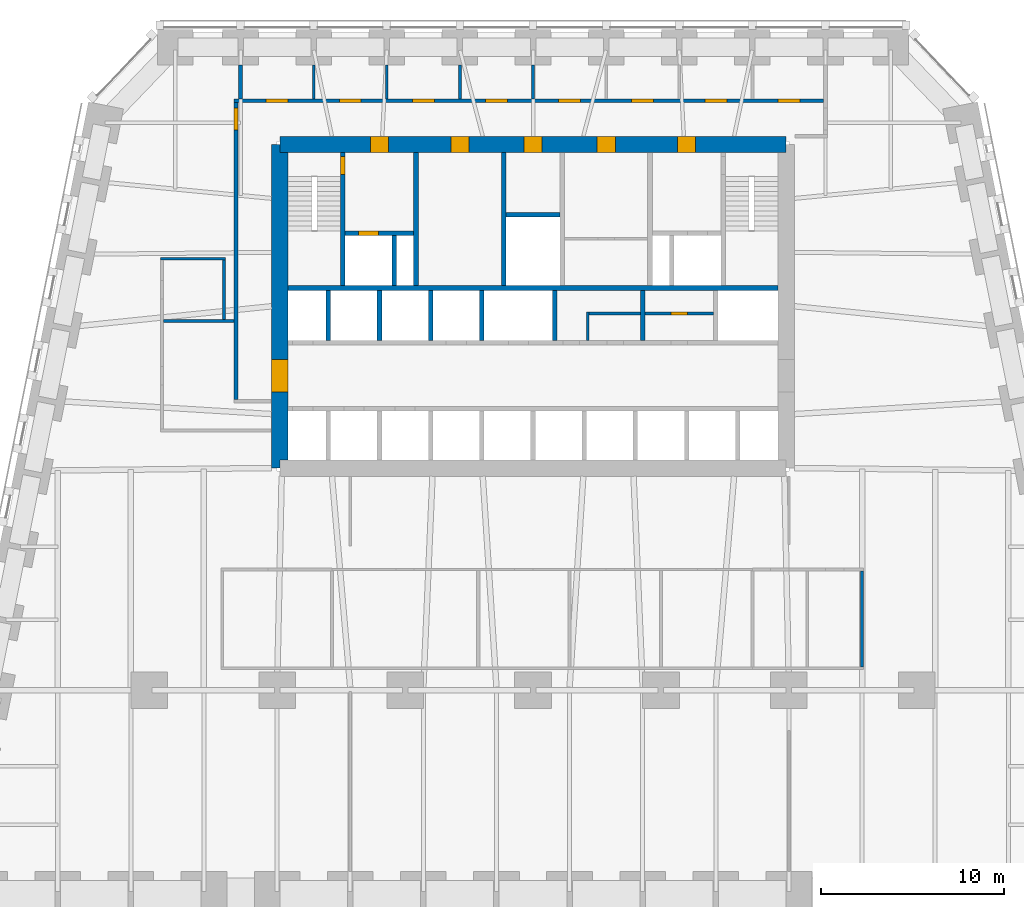
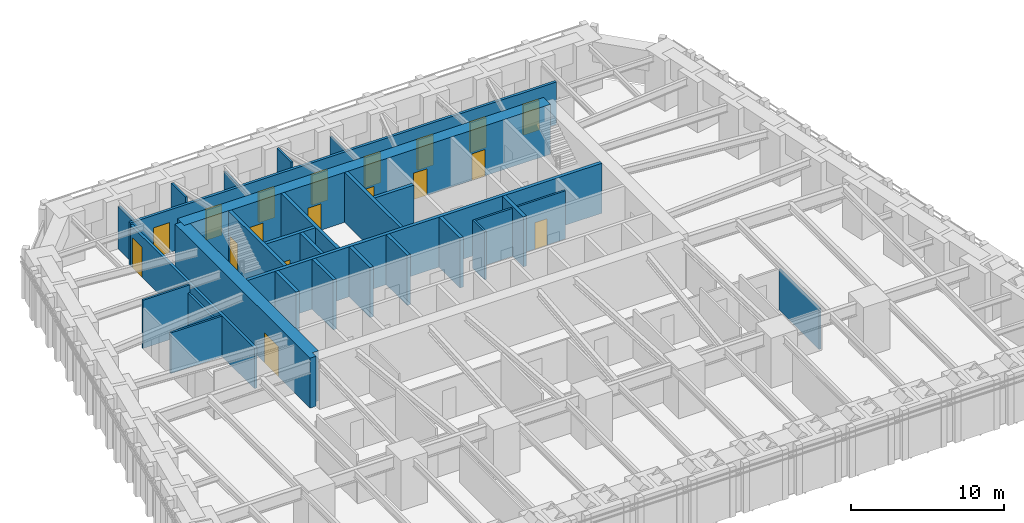
# One storey, part 13 of 16: 29 walls, 18 doors, 18 openings.
"""IFC4 building model written with IfcOpenShell, lengths in metres."""

from ifc_helpers import new_model, si_unit, direction, frame, frame_2d, origin, place, context, subcontext, project, spatial, polyline, rectangle, outline, extrude, material, layer, layer_set, type_object, element, fill, save


model = new_model("IFC4")

# Units and contexts
model_context = context("Model", 3, precision=1e-05, world=origin(), true_north=direction((0.0, 1.0)))
body_context = subcontext(model_context, "Body", "Model", "MODEL_VIEW")
ifc_project = project(units=[si_unit("LENGTHUNIT", "METRE"), si_unit("AREAUNIT", "SQUARE_METRE"), si_unit("VOLUMEUNIT", "CUBIC_METRE"), si_unit("PLANEANGLEUNIT", "RADIAN"), si_unit("MASSUNIT", "GRAM", prefix="KILO")], contexts=[model_context])

# Site, building, storey
site_placement = place(None, origin())
site = spatial("IfcSite", under=ifc_project, at=site_placement, CompositionType="ELEMENT")
building_placement = place(site_placement, origin())
building = spatial("IfcBuilding", under=site, at=building_placement, Name="Isbrekke Arena Tower", CompositionType="ELEMENT")
storey_placement = place(building_placement, frame((0.0, 0.0, 32.0)))
storey = spatial("IfcBuildingStorey", under=building, at=storey_placement, Name="L05", CompositionType="ELEMENT", Elevation=32.0)

# Wall, openings, doors
ifc_material_1 = material(Name="Concrete B65 (C65/80)", Category="concrete")
ifc_layer_1 = layer(ifc_material_1, 0.89990234375)
ifc_layer_set_1 = layer_set([ifc_layer_1], Name="CW2 CORE WALL 900")
wall_type_1 = type_object("IfcWallType", Name="CW2 CORE WALL 900", PredefinedType="SHEAR", material=ifc_layer_set_1)
wall_1_placement = place(storey_placement, frame((13.85009765625, 23.85009765625, 0.0), z_axis=(0.0, 0.0, 1.0), x_axis=(-1.0, 0.0, 0.0)))
wall_1 = element("IfcWall", 1, at=wall_1_placement, inside=storey, type_object=wall_type_1, Name="Core wall N L05", PredefinedType="SHEAR", context=body_context, shape_type="SweptSolid", body=[
    extrude(rectangle(XDim=27.7001953125, YDim=0.89990234375, at=frame_2d((13.85009765625, 0.0))), origin(), (0.0, 0.0, 1.0), 4.0),
])
opening_1_placement = place(wall_1_placement, frame((21.75, 0.0, 0.0)))
opening_1 = element("IfcOpeningElement", 2, at=opening_1_placement, cuts=wall_1, Name="Opening D3", PredefinedType="OPENING", context=body_context, shape_type="SweptSolid", body=[
    extrude(rectangle(XDim=1.0, YDim=2.10009765625, at=frame_2d((0.5, 1.050048828125))), frame((0.0, 0.46484375, 0.0), z_axis=(0.0, -1.0, 0.0), x_axis=(1.0, 0.0, 0.0)), (0.0, 0.0, 1.0), 0.9296875),
])
opening_2_placement = place(wall_1_placement, frame((4.949951171875, 0.0, 0.0)))
opening_2 = element("IfcOpeningElement", 3, at=opening_2_placement, cuts=wall_1, Name="Opening D3", PredefinedType="OPENING", context=body_context, shape_type="SweptSolid", body=[
    extrude(rectangle(XDim=1.0, YDim=2.10009765625, at=frame_2d((0.5, 1.050048828125))), frame((0.0, 0.46484375, 0.0), z_axis=(0.0, -1.0, 0.0), x_axis=(1.0, 0.0, 0.0)), (0.0, 0.0, 1.0), 0.9296875),
])
opening_3_placement = place(wall_1_placement, frame((17.35009765625, 0.0, 0.0)))
opening_3 = element("IfcOpeningElement", 4, at=opening_3_placement, cuts=wall_1, Name="Opening D4", PredefinedType="OPENING", context=body_context, shape_type="SweptSolid", body=[
    extrude(rectangle(XDim=1.0, YDim=2.10009765625, at=frame_2d((0.5, 1.050048828125))), frame((0.0, 0.46484375, 0.0), z_axis=(0.0, -1.0, 0.0), x_axis=(1.0, 0.0, 0.0)), (0.0, 0.0, 1.0), 0.9296875),
])
opening_4_placement = place(wall_1_placement, frame((13.35009765625, 0.0, 0.0)))
opening_4 = element("IfcOpeningElement", 5, at=opening_4_placement, cuts=wall_1, Name="Opening D4", PredefinedType="OPENING", context=body_context, shape_type="SweptSolid", body=[
    extrude(rectangle(XDim=1.0, YDim=2.10009765625, at=frame_2d((0.5, 1.050048828125))), frame((0.0, 0.46484375, 0.0), z_axis=(0.0, -1.0, 0.0), x_axis=(1.0, 0.0, 0.0)), (0.0, 0.0, 1.0), 0.9296875),
])
opening_5_placement = place(wall_1_placement, frame((9.35009765625, 0.0, 0.0)))
opening_5 = element("IfcOpeningElement", 6, at=opening_5_placement, cuts=wall_1, Name="Opening D4", PredefinedType="OPENING", context=body_context, shape_type="SweptSolid", body=[
    extrude(rectangle(XDim=1.0, YDim=2.10009765625, at=frame_2d((0.5, 1.050048828125))), frame((0.0, 0.46484375, 0.0), z_axis=(0.0, -1.0, 0.0), x_axis=(1.0, 0.0, 0.0)), (0.0, 0.0, 1.0), 0.9296875),
])
ifc_material_2 = material(Name="Steel fire door", Category="steel")
door_type_1 = type_object("IfcDoorType", Name="D3 FIRE LOBBY DOOR 1000 x 2100", OperationType="SINGLE_SWING_RIGHT", PredefinedType="DOOR", material=ifc_material_2)
door_1_placement = place(opening_1_placement, origin())
door_1 = element("IfcDoor", 7, at=door_1_placement, inside=storey, type_object=door_type_1, Name="D3 fire-fighting lobby door L05", OperationType="SINGLE_SWING_RIGHT", OverallHeight=2.10009765625, OverallWidth=1.0, PredefinedType="DOOR", context=body_context, shape_type="SweptSolid", body=[
    extrude(rectangle(XDim=1.0, YDim=2.10009765625, at=frame_2d((0.5, 1.050048828125))), frame((0.0, 0.44970703125, 0.0), z_axis=(0.0, -1.0, 0.0), x_axis=(1.0, 0.0, 0.0)), (0.0, 0.0, 1.0), 0.8994140625),
])
fill(opening_1, door_1)
door_2_placement = place(opening_2_placement, origin())
door_2 = element("IfcDoor", 8, at=door_2_placement, inside=storey, type_object=door_type_1, Name="D3 fire-fighting lobby door L05", OperationType="SINGLE_SWING_RIGHT", OverallHeight=2.10009765625, OverallWidth=1.0, PredefinedType="DOOR", context=body_context, shape_type="SweptSolid", body=[
    extrude(rectangle(XDim=1.0, YDim=2.10009765625, at=frame_2d((0.5, 1.050048828125))), frame((0.0, 0.44970703125, 0.0), z_axis=(0.0, -1.0, 0.0), x_axis=(1.0, 0.0, 0.0)), (0.0, 0.0, 1.0), 0.8994140625),
])
fill(opening_2, door_2)
ifc_material_3 = material(Name="Timber door", Category="wood")
door_type_2 = type_object("IfcDoorType", Name="D4 WC DOOR 1000 x 2100", OperationType="SINGLE_SWING_LEFT", PredefinedType="DOOR", material=ifc_material_3)
door_3_placement = place(opening_3_placement, origin())
door_3 = element("IfcDoor", 9, at=door_3_placement, inside=storey, type_object=door_type_2, Name="D4 wc female door L05", OperationType="SINGLE_SWING_LEFT", OverallHeight=2.10009765625, OverallWidth=1.0, PredefinedType="DOOR", context=body_context, shape_type="SweptSolid", body=[
    extrude(rectangle(XDim=1.0, YDim=2.10009765625, at=frame_2d((0.5, 1.050048828125))), frame((0.0, 0.44970703125, 0.0), z_axis=(0.0, -1.0, 0.0), x_axis=(1.0, 0.0, 0.0)), (0.0, 0.0, 1.0), 0.8994140625),
])
fill(opening_3, door_3)
door_4_placement = place(opening_4_placement, origin())
door_4 = element("IfcDoor", 10, at=door_4_placement, inside=storey, type_object=door_type_2, Name="D4 accessible wc door L05", OperationType="SINGLE_SWING_LEFT", OverallHeight=2.10009765625, OverallWidth=1.0, PredefinedType="DOOR", context=body_context, shape_type="SweptSolid", body=[
    extrude(rectangle(XDim=1.0, YDim=2.10009765625, at=frame_2d((0.5, 1.050048828125))), frame((0.0, 0.44970703125, 0.0), z_axis=(0.0, -1.0, 0.0), x_axis=(1.0, 0.0, 0.0)), (0.0, 0.0, 1.0), 0.8994140625),
])
fill(opening_4, door_4)
door_5_placement = place(opening_5_placement, origin())
door_5 = element("IfcDoor", 11, at=door_5_placement, inside=storey, type_object=door_type_2, Name="D4 wc male door L05", OperationType="SINGLE_SWING_LEFT", OverallHeight=2.10009765625, OverallWidth=1.0, PredefinedType="DOOR", context=body_context, shape_type="SweptSolid", body=[
    extrude(rectangle(XDim=1.0, YDim=2.10009765625, at=frame_2d((0.5, 1.050048828125))), frame((0.0, 0.44970703125, 0.0), z_axis=(0.0, -1.0, 0.0), x_axis=(1.0, 0.0, 0.0)), (0.0, 0.0, 1.0), 0.8994140625),
])
fill(opening_5, door_5)

# Wall, opening, door
wall_2_placement = place(storey_placement, frame((-13.85009765625, 23.85009765625, 0.0), z_axis=(0.0, 0.0, 1.0), x_axis=(0.0, -1.0, 0.0)))
wall_2 = element("IfcWall", 12, at=wall_2_placement, inside=storey, type_object=wall_type_1, Name="Core wall W L05", PredefinedType="SHEAR", context=body_context, shape_type="SweptSolid", body=[
    extrude(outline(polyline([(0.0, -0.449951171875), (17.7001953125, -0.449951171875), (17.7001953125, 0.0), (17.250244140625, 0.0), (17.250244140625, 0.449951171875), (0.449951171875, 0.449951171875), (0.449951171875, 0.0), (0.0, 0.0), (0.0, -0.449951171875)])), origin(), (0.0, 0.0, 1.0), 4.0),
])
opening_6_placement = place(wall_2_placement, frame((11.75, 0.0, 0.0)))
opening_6 = element("IfcOpeningElement", 13, at=opening_6_placement, cuts=wall_2, Name="Opening D1", PredefinedType="OPENING", context=body_context, shape_type="SweptSolid", body=[
    extrude(rectangle(XDim=1.800048828125, YDim=2.39990234375, at=frame_2d((0.89990234375, 1.199951171875))), frame((0.0, 0.46484375, 0.0), z_axis=(0.0, -1.0, 0.0), x_axis=(1.0, 0.0, 0.0)), (0.0, 0.0, 1.0), 0.9296875),
])
ifc_material_4 = material(Name="Steel-framed glazed fire door", Category="steel")
door_type_3 = type_object("IfcDoorType", Name="D1 CORE LOBBY DOOR 1800 x 2400", OperationType="DOUBLE_DOOR_SINGLE_SWING", PredefinedType="DOOR", material=ifc_material_4)
door_6_placement = place(opening_6_placement, origin())
door_6 = element("IfcDoor", 14, at=door_6_placement, inside=storey, type_object=door_type_3, Name="D1 lift lobby door west L05", OperationType="DOUBLE_DOOR_SINGLE_SWING", OverallHeight=2.39990234375, OverallWidth=1.800048828125, PredefinedType="DOOR", context=body_context, shape_type="SweptSolid", body=[
    extrude(rectangle(XDim=1.800048828125, YDim=2.39990234375, at=frame_2d((0.89990234375, 1.199951171875))), frame((0.0, 0.44970703125, 0.0), z_axis=(0.0, -1.0, 0.0), x_axis=(1.0, 0.0, 0.0)), (0.0, 0.0, 1.0), 0.8994140625),
])
fill(opening_6, door_6)

# Walls
ifc_material_5 = material(Name="Concrete B45 (C45/55)", Category="concrete")
ifc_layer_2 = layer(ifc_material_5, 0.25)
ifc_layer_set_2 = layer_set([ifc_layer_2], Name="CW6 SHAFT WALL 250")
wall_type_2 = type_object("IfcWallType", Name="CW6 SHAFT WALL 250", PredefinedType="SHEAR", material=ifc_layer_set_2)
wall_3_placement = place(storey_placement, frame((-13.39990234375, 16.0, 0.0), z_axis=(0.0, 0.0, 1.0), x_axis=(1.0, 0.0, 0.0)))
element("IfcWall", 15, at=wall_3_placement, inside=storey, type_object=wall_type_2, Name="Core wall NB L05", PredefinedType="SHEAR", context=body_context, shape_type="SweptSolid", body=[
    extrude(rectangle(XDim=26.7998046875, YDim=0.25, at=frame_2d((13.39990234375, 0.0))), origin(), (0.0, 0.0, 1.0), 4.0),
])
for number, where, z_axis, x_axis, name in (
    (16, (-11.199951171875, 13.125, 0.0), (0.0, 0.0, 1.0), (0.0, 1.0, 0.0), "Core wall SN01 L05"),
    (17, (-8.39990234375, 13.125, 0.0), (0.0, 0.0, 1.0), (0.0, 1.0, 0.0), "Core wall SN02 L05"),
    (18, (-5.60009765625, 13.125, 0.0), (0.0, 0.0, 1.0), (0.0, 1.0, 0.0), "Core wall SN03 L05"),
    (19, (-2.800048828125, 13.125, 0.0), (0.0, 0.0, 1.0), (0.0, 1.0, 0.0), "Core wall SN04 L05"),
    (20, (1.199951171875, 13.125, 0.0), (0.0, 0.0, 1.0), (0.0, 1.0, 0.0), "Core wall SN05 L05"),
    (21, (6.0, 13.125, 0.0), (0.0, 0.0, 1.0), (0.0, 1.0, 0.0), "Core wall SN06 L05"),
):
    element("IfcWall", number, at=place(storey_placement, frame(where, z_axis=z_axis, x_axis=x_axis)), inside=storey, type_object=wall_type_2, Name=name, PredefinedType="SHEAR", context=body_context, shape_type="SweptSolid", body=[
        extrude(rectangle(XDim=2.75, YDim=0.25, at=frame_2d((1.375, 0.0))), origin(), (0.0, 0.0, 1.0), 4.0),
    ])

# Wall, opening, door
wall_4_placement = place(storey_placement, frame((-10.39990234375, 16.125, 0.0), z_axis=(0.0, 0.0, 1.0), x_axis=(0.0, 1.0, 0.0)))
wall_4 = element("IfcWall", 22, at=wall_4_placement, inside=storey, type_object=wall_type_2, Name="Core wall NV01 L05", PredefinedType="SHEAR", context=body_context, shape_type="SweptSolid", body=[
    extrude(rectangle(XDim=7.27490234375, YDim=0.25, at=frame_2d((3.637451171875, 0.0))), origin(), (0.0, 0.0, 1.0), 4.0),
])
opening_7_placement = place(wall_4_placement, frame((6.074951171875, 0.0, 0.0)))
opening_7 = element("IfcOpeningElement", 23, at=opening_7_placement, cuts=wall_4, Name="Opening D2", PredefinedType="OPENING", context=body_context, shape_type="SweptSolid", body=[
    extrude(rectangle(XDim=1.0, YDim=2.10009765625, at=frame_2d((0.5, 1.050048828125))), frame((0.0, 0.139892578125, 0.0), z_axis=(0.0, -1.0, 0.0), x_axis=(1.0, 0.0, 0.0)), (0.0, 0.0, 1.0), 0.27978515625),
])
ifc_material_6 = material(Name="Steel fire door", Category="steel")
door_type_4 = type_object("IfcDoorType", Name="D2 STAIR DOOR 1000 x 2100", OperationType="SINGLE_SWING_LEFT", PredefinedType="DOOR", material=ifc_material_6)
door_7_placement = place(opening_7_placement, origin())
door_7 = element("IfcDoor", 24, at=door_7_placement, inside=storey, type_object=door_type_4, Name="D2 stair door ST1 L05", OperationType="SINGLE_SWING_LEFT", OverallHeight=2.10009765625, OverallWidth=1.0, PredefinedType="DOOR", context=body_context, shape_type="SweptSolid", body=[
    extrude(rectangle(XDim=1.0, YDim=2.10009765625, at=frame_2d((0.5, 1.050048828125))), frame((0.0, 0.124755859375, 0.0), z_axis=(0.0, -1.0, 0.0), x_axis=(1.0, 0.0, 0.0)), (0.0, 0.0, 1.0), 0.24951171875),
])
fill(opening_7, door_7)

# Walls
for number, where, z_axis, x_axis, name in (
    (25, (-6.39990234375, 16.125, 0.0), (0.0, 0.0, 1.0), (0.0, 1.0, 0.0), "Core wall NV02 L05"),
    (26, (-1.60009765625, 16.125, 0.0), (0.0, 0.0, 1.0), (0.0, 1.0, 0.0), "Core wall NV03 L05"),
):
    element("IfcWall", number, at=place(storey_placement, frame(where, z_axis=z_axis, x_axis=x_axis)), inside=storey, type_object=wall_type_2, Name=name, PredefinedType="SHEAR", context=body_context, shape_type="SweptSolid", body=[
        extrude(rectangle(XDim=7.27490234375, YDim=0.25, at=frame_2d((3.637451171875, 0.0))), origin(), (0.0, 0.0, 1.0), 4.0),
    ])

# Wall, opening, door
wall_5_placement = place(storey_placement, frame((-10.27490234375, 19.0, 0.0), z_axis=(0.0, 0.0, 1.0), x_axis=(1.0, 0.0, 0.0)))
wall_5 = element("IfcWall", 27, at=wall_5_placement, inside=storey, type_object=wall_type_2, Name="Core wall NFW L05", PredefinedType="SHEAR", context=body_context, shape_type="SweptSolid", body=[
    extrude(rectangle(XDim=3.75, YDim=0.25, at=frame_2d((1.875, 0.0))), origin(), (0.0, 0.0, 1.0), 4.0),
])
opening_8_placement = place(wall_5_placement, frame((0.72509765625, 0.0, 0.0)))
opening_8 = element("IfcOpeningElement", 28, at=opening_8_placement, cuts=wall_5, Name="Opening LD2", PredefinedType="OPENING", context=body_context, shape_type="SweptSolid", body=[
    extrude(rectangle(XDim=1.10009765625, YDim=2.10009765625, at=frame_2d((0.550048828125, 1.050048828125))), frame((0.0, 0.139892578125, 0.0), z_axis=(0.0, -1.0, 0.0), x_axis=(1.0, 0.0, 0.0)), (0.0, 0.0, 1.0), 0.27978515625),
])
ifc_material_7 = material(Name="Stainless steel lift landing door", Category="steel")
door_type_5 = type_object("IfcDoorType", Name="LD2 FIRE-FIGHTING LIFT LANDING DOOR 1100 x 2100", OperationType="SLIDING_TO_RIGHT", PredefinedType="DOOR", material=ifc_material_7)
door_8_placement = place(opening_8_placement, origin())
door_8 = element("IfcDoor", 29, at=door_8_placement, inside=storey, type_object=door_type_5, Name="LD2 lift landing door LF L05", OperationType="SLIDING_TO_RIGHT", OverallHeight=2.10009765625, OverallWidth=1.10009765625, PredefinedType="DOOR", context=body_context, shape_type="SweptSolid", body=[
    extrude(rectangle(XDim=1.10009765625, YDim=2.10009765625, at=frame_2d((0.550048828125, 1.050048828125))), frame((0.0, 0.124755859375, 0.0), z_axis=(0.0, -1.0, 0.0), x_axis=(1.0, 0.0, 0.0)), (0.0, 0.0, 1.0), 0.24951171875),
])
fill(opening_8, door_8)

# Walls
wall_6_placement = place(storey_placement, frame((-7.60009765625, 16.125, 0.0), z_axis=(0.0, 0.0, 1.0), x_axis=(0.0, 1.0, 0.0)))
element("IfcWall", 30, at=wall_6_placement, inside=storey, type_object=wall_type_2, Name="Core wall NFS1 L05", PredefinedType="SHEAR", context=body_context, shape_type="SweptSolid", body=[
    extrude(rectangle(XDim=2.75, YDim=0.25, at=frame_2d((1.375, 0.0))), origin(), (0.0, 0.0, 1.0), 4.0),
])
wall_7_placement = place(storey_placement, frame((-1.47509765625, 20.0, 0.0), z_axis=(0.0, 0.0, 1.0), x_axis=(1.0, 0.0, 0.0)))
element("IfcWall", 31, at=wall_7_placement, inside=storey, type_object=wall_type_2, Name="Core wall NWC L05", PredefinedType="SHEAR", context=body_context, shape_type="SweptSolid", body=[
    extrude(rectangle(XDim=2.9501953125, YDim=0.25, at=frame_2d((1.47509765625, 0.0))), origin(), (0.0, 0.0, 1.0), 4.0),
])
ifc_material_8 = material(Name="Gypsum board partition on steel studs", Category="steel")
ifc_layer_3 = layer(ifc_material_8, 0.14990234375)
ifc_layer_set_3 = layer_set([ifc_layer_3], Name="IW1 PARTITION 150")
wall_type_3 = type_object("IfcWallType", Name="IW1 PARTITION 150", PredefinedType="PARTITIONING", material=ifc_layer_set_3)
wall_8_placement = place(storey_placement, frame((-20.22509765625, 14.199951171875, 0.0), z_axis=(0.0, 0.0, 1.0), x_axis=(1.0, 0.0, 0.0)))
element("IfcWall", 32, at=wall_8_placement, inside=storey, type_object=wall_type_3, Name="IW1 partition 150 L05", PredefinedType="PARTITIONING", context=body_context, shape_type="SweptSolid", body=[
    extrude(rectangle(XDim=3.875, YDim=0.14990234375, at=frame_2d((1.9375, 0.0))), origin(), (0.0, 0.0, 1.0), 3.25),
])
wall_9_placement = place(storey_placement, frame((-20.375, 17.60009765625, 0.0), z_axis=(0.0, 0.0, 1.0), x_axis=(1.0, 0.0, 0.0)))
element("IfcWall", 33, at=wall_9_placement, inside=storey, type_object=wall_type_3, Name="IW1 partition 150 L05", PredefinedType="PARTITIONING", context=body_context, shape_type="SweptSolid", body=[
    extrude(rectangle(XDim=3.550048828125, YDim=0.14990234375, at=frame_2d((1.77490234375, 0.0))), origin(), (0.0, 0.0, 1.0), 3.85009765625),
])
wall_10_placement = place(storey_placement, frame((-16.89990234375, 14.27490234375, 0.0), z_axis=(0.0, 0.0, 1.0), x_axis=(0.0, 1.0, 0.0)))
element("IfcWall", 34, at=wall_10_placement, inside=storey, type_object=wall_type_3, Name="IW1 partition 150 L05", PredefinedType="PARTITIONING", context=body_context, shape_type="SweptSolid", body=[
    extrude(rectangle(XDim=3.25, YDim=0.14990234375, at=frame_2d((1.625, 0.0))), origin(), (0.0, 0.0, 1.0), 3.25),
])
wall_11_placement = place(storey_placement, frame((-12.0, 26.35009765625, 0.0), z_axis=(0.0, 0.0, 1.0), x_axis=(0.0, 1.0, 0.0)))
element("IfcWall", 35, at=wall_11_placement, inside=storey, type_object=wall_type_3, Name="IW1 partition 150 L05", PredefinedType="PARTITIONING", context=body_context, shape_type="SweptSolid", body=[
    extrude(rectangle(XDim=1.849853515625, YDim=0.14990234375, at=frame_2d((0.9248046875, 0.0))), origin(), (0.0, 0.0, 1.0), 3.85009765625),
])
wall_12_placement = place(storey_placement, frame((-8.0, 26.35009765625, 0.0), z_axis=(0.0, 0.0, 1.0), x_axis=(0.0, 1.0, 0.0)))
element("IfcWall", 36, at=wall_12_placement, inside=storey, type_object=wall_type_3, Name="IW1 partition 150 L05", PredefinedType="PARTITIONING", context=body_context, shape_type="SweptSolid", body=[
    extrude(rectangle(XDim=1.849853515625, YDim=0.14990234375, at=frame_2d((0.9248046875, 0.0))), origin(), (0.0, 0.0, 1.0), 3.39990234375),
])
wall_13_placement = place(storey_placement, frame((-4.0, 26.35009765625, 0.0), z_axis=(0.0, 0.0, 1.0), x_axis=(0.0, 1.0, 0.0)))
element("IfcWall", 37, at=wall_13_placement, inside=storey, type_object=wall_type_3, Name="IW1 partition 150 L05", PredefinedType="PARTITIONING", context=body_context, shape_type="SweptSolid", body=[
    extrude(rectangle(XDim=1.849853515625, YDim=0.14990234375, at=frame_2d((0.9248046875, 0.0))), origin(), (0.0, 0.0, 1.0), 3.85009765625),
])
wall_14_placement = place(storey_placement, frame((0.0, 26.35009765625, 0.0), z_axis=(0.0, 0.0, 1.0), x_axis=(0.0, 1.0, 0.0)))
element("IfcWall", 38, at=wall_14_placement, inside=storey, type_object=wall_type_3, Name="IW1 partition 150 L05", PredefinedType="PARTITIONING", context=body_context, shape_type="SweptSolid", body=[
    extrude(rectangle(XDim=1.849853515625, YDim=0.14990234375, at=frame_2d((0.9248046875, 0.0))), origin(), (0.0, 0.0, 1.0), 3.39990234375),
])
wall_15_placement = place(storey_placement, frame((18.0, -4.72509765625, 0.0), z_axis=(0.0, 0.0, 1.0), x_axis=(0.0, 1.0, 0.0)))
element("IfcWall", 39, at=wall_15_placement, inside=storey, type_object=wall_type_3, Name="IW1 partition 150 L05", PredefinedType="PARTITIONING", context=body_context, shape_type="SweptSolid", body=[
    extrude(rectangle(XDim=5.25, YDim=0.14990234375, at=frame_2d((2.625, 0.0))), origin(), (0.0, 0.0, 1.0), 3.25),
])

# Wall, openings, doors
ifc_material_9 = material(Name="Gypsum board fire-cell wall on steel studs, two layers each side", Category="steel")
ifc_layer_4 = layer(ifc_material_9, 0.199951171875)
ifc_layer_set_4 = layer_set([ifc_layer_4], Name="IW3 FIRE-CELL WALL 200")
wall_type_4 = type_object("IfcWallType", Name="IW3 FIRE-CELL WALL 200", PredefinedType="PARTITIONING", material=ifc_layer_set_4)
wall_16_placement = place(storey_placement, frame((-16.35009765625, 26.25, 0.0), z_axis=(0.0, 0.0, 1.0), x_axis=(1.0, 0.0, 0.0)))
wall_16 = element("IfcWall", 40, at=wall_16_placement, inside=storey, type_object=wall_type_4, Name="IW3 fire-cell wall 200 L05", PredefinedType="PARTITIONING", context=body_context, shape_type="SweptSolid", body=[
    extrude(rectangle(XDim=32.25, YDim=0.199951171875, at=frame_2d((16.125, 0.0))), origin(), (0.0, 0.0, 1.0), 3.39990234375),
])
opening_9_placement = place(wall_16_placement, frame((1.75, 0.0, 0.0)))
opening_9 = element("IfcOpeningElement", 41, at=opening_9_placement, cuts=wall_16, Name="Opening D12", PredefinedType="OPENING", context=body_context, shape_type="SweptSolid", body=[
    extrude(rectangle(XDim=1.199951171875, YDim=2.39990234375, at=frame_2d((0.60009765625, 1.199951171875))), frame((0.0, 0.11474609375, 0.0), z_axis=(0.0, -1.0, 0.0), x_axis=(1.0, 0.0, 0.0)), (0.0, 0.0, 1.0), 0.229736328125),
])
opening_10_placement = place(wall_16_placement, frame((5.75, 0.0, 0.0)))
opening_10 = element("IfcOpeningElement", 42, at=opening_10_placement, cuts=wall_16, Name="Opening D12", PredefinedType="OPENING", context=body_context, shape_type="SweptSolid", body=[
    extrude(rectangle(XDim=1.199951171875, YDim=2.39990234375, at=frame_2d((0.60009765625, 1.199951171875))), frame((0.0, 0.11474609375, 0.0), z_axis=(0.0, -1.0, 0.0), x_axis=(1.0, 0.0, 0.0)), (0.0, 0.0, 1.0), 0.229736328125),
])
opening_11_placement = place(wall_16_placement, frame((9.75, 0.0, 0.0)))
opening_11 = element("IfcOpeningElement", 43, at=opening_11_placement, cuts=wall_16, Name="Opening D12", PredefinedType="OPENING", context=body_context, shape_type="SweptSolid", body=[
    extrude(rectangle(XDim=1.199951171875, YDim=2.39990234375, at=frame_2d((0.60009765625, 1.199951171875))), frame((0.0, 0.11474609375, 0.0), z_axis=(0.0, -1.0, 0.0), x_axis=(1.0, 0.0, 0.0)), (0.0, 0.0, 1.0), 0.229736328125),
])
opening_12_placement = place(wall_16_placement, frame((13.75, 0.0, 0.0)))
opening_12 = element("IfcOpeningElement", 44, at=opening_12_placement, cuts=wall_16, Name="Opening D12", PredefinedType="OPENING", context=body_context, shape_type="SweptSolid", body=[
    extrude(rectangle(XDim=1.199951171875, YDim=2.39990234375, at=frame_2d((0.60009765625, 1.199951171875))), frame((0.0, 0.11474609375, 0.0), z_axis=(0.0, -1.0, 0.0), x_axis=(1.0, 0.0, 0.0)), (0.0, 0.0, 1.0), 0.229736328125),
])
opening_13_placement = place(wall_16_placement, frame((17.75, 0.0, 0.0)))
opening_13 = element("IfcOpeningElement", 45, at=opening_13_placement, cuts=wall_16, Name="Opening D12", PredefinedType="OPENING", context=body_context, shape_type="SweptSolid", body=[
    extrude(rectangle(XDim=1.199951171875, YDim=2.39990234375, at=frame_2d((0.60009765625, 1.199951171875))), frame((0.0, 0.11474609375, 0.0), z_axis=(0.0, -1.0, 0.0), x_axis=(1.0, 0.0, 0.0)), (0.0, 0.0, 1.0), 0.229736328125),
])
opening_14_placement = place(wall_16_placement, frame((21.75, 0.0, 0.0)))
opening_14 = element("IfcOpeningElement", 46, at=opening_14_placement, cuts=wall_16, Name="Opening D12", PredefinedType="OPENING", context=body_context, shape_type="SweptSolid", body=[
    extrude(rectangle(XDim=1.199951171875, YDim=2.39990234375, at=frame_2d((0.60009765625, 1.199951171875))), frame((0.0, 0.11474609375, 0.0), z_axis=(0.0, -1.0, 0.0), x_axis=(1.0, 0.0, 0.0)), (0.0, 0.0, 1.0), 0.229736328125),
])
opening_15_placement = place(wall_16_placement, frame((25.75, 0.0, 0.0)))
opening_15 = element("IfcOpeningElement", 47, at=opening_15_placement, cuts=wall_16, Name="Opening D12", PredefinedType="OPENING", context=body_context, shape_type="SweptSolid", body=[
    extrude(rectangle(XDim=1.199951171875, YDim=2.39990234375, at=frame_2d((0.60009765625, 1.199951171875))), frame((0.0, 0.11474609375, 0.0), z_axis=(0.0, -1.0, 0.0), x_axis=(1.0, 0.0, 0.0)), (0.0, 0.0, 1.0), 0.229736328125),
])
opening_16_placement = place(wall_16_placement, frame((29.75, 0.0, 0.0)))
opening_16 = element("IfcOpeningElement", 48, at=opening_16_placement, cuts=wall_16, Name="Opening D12", PredefinedType="OPENING", context=body_context, shape_type="SweptSolid", body=[
    extrude(rectangle(XDim=1.199951171875, YDim=2.39990234375, at=frame_2d((0.60009765625, 1.199951171875))), frame((0.0, 0.11474609375, 0.0), z_axis=(0.0, -1.0, 0.0), x_axis=(1.0, 0.0, 0.0)), (0.0, 0.0, 1.0), 0.229736328125),
])
ifc_material_10 = material(Name="Timber fire door with vision panel", Category="wood")
door_type_6 = type_object("IfcDoorType", Name="D12 SUITE ENTRANCE DOOR 1200 x 2400", OperationType="SINGLE_SWING_LEFT", PredefinedType="DOOR", material=ifc_material_10)
door_9_placement = place(opening_9_placement, origin())
door_9 = element("IfcDoor", 49, at=door_9_placement, inside=storey, type_object=door_type_6, Name="D12 office door L05", OperationType="SINGLE_SWING_LEFT", OverallHeight=2.39990234375, OverallWidth=1.199951171875, PredefinedType="DOOR", context=body_context, shape_type="SweptSolid", body=[
    extrude(rectangle(XDim=1.199951171875, YDim=2.39990234375, at=frame_2d((0.60009765625, 1.199951171875))), frame((0.0, 0.099609375, 0.0), z_axis=(0.0, -1.0, 0.0), x_axis=(1.0, 0.0, 0.0)), (0.0, 0.0, 1.0), 0.199462890625),
])
fill(opening_9, door_9)
door_10_placement = place(opening_10_placement, origin())
door_10 = element("IfcDoor", 50, at=door_10_placement, inside=storey, type_object=door_type_6, Name="D12 office door L05", OperationType="SINGLE_SWING_LEFT", OverallHeight=2.39990234375, OverallWidth=1.199951171875, PredefinedType="DOOR", context=body_context, shape_type="SweptSolid", body=[
    extrude(rectangle(XDim=1.199951171875, YDim=2.39990234375, at=frame_2d((0.60009765625, 1.199951171875))), frame((0.0, 0.099609375, 0.0), z_axis=(0.0, -1.0, 0.0), x_axis=(1.0, 0.0, 0.0)), (0.0, 0.0, 1.0), 0.199462890625),
])
fill(opening_10, door_10)
door_11_placement = place(opening_11_placement, origin())
door_11 = element("IfcDoor", 51, at=door_11_placement, inside=storey, type_object=door_type_6, Name="D12 office door L05", OperationType="SINGLE_SWING_LEFT", OverallHeight=2.39990234375, OverallWidth=1.199951171875, PredefinedType="DOOR", context=body_context, shape_type="SweptSolid", body=[
    extrude(rectangle(XDim=1.199951171875, YDim=2.39990234375, at=frame_2d((0.60009765625, 1.199951171875))), frame((0.0, 0.099609375, 0.0), z_axis=(0.0, -1.0, 0.0), x_axis=(1.0, 0.0, 0.0)), (0.0, 0.0, 1.0), 0.199462890625),
])
fill(opening_11, door_11)
door_12_placement = place(opening_12_placement, origin())
door_12 = element("IfcDoor", 52, at=door_12_placement, inside=storey, type_object=door_type_6, Name="D12 store door L05", OperationType="SINGLE_SWING_LEFT", OverallHeight=2.39990234375, OverallWidth=1.199951171875, PredefinedType="DOOR", context=body_context, shape_type="SweptSolid", body=[
    extrude(rectangle(XDim=1.199951171875, YDim=2.39990234375, at=frame_2d((0.60009765625, 1.199951171875))), frame((0.0, 0.099609375, 0.0), z_axis=(0.0, -1.0, 0.0), x_axis=(1.0, 0.0, 0.0)), (0.0, 0.0, 1.0), 0.199462890625),
])
fill(opening_12, door_12)
door_13_placement = place(opening_13_placement, origin())
door_13 = element("IfcDoor", 53, at=door_13_placement, inside=storey, type_object=door_type_6, Name="D12 focus room door L05", OperationType="SINGLE_SWING_LEFT", OverallHeight=2.39990234375, OverallWidth=1.199951171875, PredefinedType="DOOR", context=body_context, shape_type="SweptSolid", body=[
    extrude(rectangle(XDim=1.199951171875, YDim=2.39990234375, at=frame_2d((0.60009765625, 1.199951171875))), frame((0.0, 0.099609375, 0.0), z_axis=(0.0, -1.0, 0.0), x_axis=(1.0, 0.0, 0.0)), (0.0, 0.0, 1.0), 0.199462890625),
])
fill(opening_13, door_13)
door_14_placement = place(opening_14_placement, origin())
door_14 = element("IfcDoor", 54, at=door_14_placement, inside=storey, type_object=door_type_6, Name="D12 office door L05", OperationType="SINGLE_SWING_LEFT", OverallHeight=2.39990234375, OverallWidth=1.199951171875, PredefinedType="DOOR", context=body_context, shape_type="SweptSolid", body=[
    extrude(rectangle(XDim=1.199951171875, YDim=2.39990234375, at=frame_2d((0.60009765625, 1.199951171875))), frame((0.0, 0.099609375, 0.0), z_axis=(0.0, -1.0, 0.0), x_axis=(1.0, 0.0, 0.0)), (0.0, 0.0, 1.0), 0.199462890625),
])
fill(opening_14, door_14)
door_15_placement = place(opening_15_placement, origin())
door_15 = element("IfcDoor", 55, at=door_15_placement, inside=storey, type_object=door_type_6, Name="D12 office door L05", OperationType="SINGLE_SWING_LEFT", OverallHeight=2.39990234375, OverallWidth=1.199951171875, PredefinedType="DOOR", context=body_context, shape_type="SweptSolid", body=[
    extrude(rectangle(XDim=1.199951171875, YDim=2.39990234375, at=frame_2d((0.60009765625, 1.199951171875))), frame((0.0, 0.099609375, 0.0), z_axis=(0.0, -1.0, 0.0), x_axis=(1.0, 0.0, 0.0)), (0.0, 0.0, 1.0), 0.199462890625),
])
fill(opening_15, door_15)
door_16_placement = place(opening_16_placement, origin())
door_16 = element("IfcDoor", 56, at=door_16_placement, inside=storey, type_object=door_type_6, Name="D12 office door L05", OperationType="SINGLE_SWING_LEFT", OverallHeight=2.39990234375, OverallWidth=1.199951171875, PredefinedType="DOOR", context=body_context, shape_type="SweptSolid", body=[
    extrude(rectangle(XDim=1.199951171875, YDim=2.39990234375, at=frame_2d((0.60009765625, 1.199951171875))), frame((0.0, 0.099609375, 0.0), z_axis=(0.0, -1.0, 0.0), x_axis=(1.0, 0.0, 0.0)), (0.0, 0.0, 1.0), 0.199462890625),
])
fill(opening_16, door_16)

# Wall, opening, door
wall_17_placement = place(storey_placement, frame((-16.25, 9.89990234375, 0.0), z_axis=(0.0, 0.0, 1.0), x_axis=(0.0, 1.0, 0.0)))
wall_17 = element("IfcWall", 57, at=wall_17_placement, inside=storey, type_object=wall_type_4, Name="IW3 fire-cell wall 200 L05", PredefinedType="PARTITIONING", context=body_context, shape_type="SweptSolid", body=[
    extrude(rectangle(XDim=16.25, YDim=0.199951171875, at=frame_2d((8.125, 0.0))), origin(), (0.0, 0.0, 1.0), 3.25),
])
opening_17_placement = place(wall_17_placement, frame((14.75, 0.0, 0.0)))
opening_17 = element("IfcOpeningElement", 58, at=opening_17_placement, cuts=wall_17, Name="Opening D12", PredefinedType="OPENING", context=body_context, shape_type="SweptSolid", body=[
    extrude(rectangle(XDim=1.199951171875, YDim=2.39990234375, at=frame_2d((0.60009765625, 1.199951171875))), frame((0.0, 0.11474609375, 0.0), z_axis=(0.0, -1.0, 0.0), x_axis=(1.0, 0.0, 0.0)), (0.0, 0.0, 1.0), 0.229736328125),
])
door_17_placement = place(opening_17_placement, origin())
door_17 = element("IfcDoor", 59, at=door_17_placement, inside=storey, type_object=door_type_6, Name="D12 suite entrance A door L05", OperationType="SINGLE_SWING_LEFT", OverallHeight=2.39990234375, OverallWidth=1.199951171875, PredefinedType="DOOR", context=body_context, shape_type="SweptSolid", body=[
    extrude(rectangle(XDim=1.199951171875, YDim=2.39990234375, at=frame_2d((0.60009765625, 1.199951171875))), frame((0.0, 0.099609375, 0.0), z_axis=(0.0, -1.0, 0.0), x_axis=(1.0, 0.0, 0.0)), (0.0, 0.0, 1.0), 0.199462890625),
])
fill(opening_17, door_17)

# Walls
wall_18_placement = place(storey_placement, frame((-16.0, 26.35009765625, 0.0), z_axis=(0.0, 0.0, 1.0), x_axis=(0.0, 1.0, 0.0)))
element("IfcWall", 60, at=wall_18_placement, inside=storey, type_object=wall_type_4, Name="IW3 fire-cell wall 200 L05", PredefinedType="PARTITIONING", context=body_context, shape_type="SweptSolid", body=[
    extrude(rectangle(XDim=1.849853515625, YDim=0.199951171875, at=frame_2d((0.9248046875, 0.0))), origin(), (0.0, 0.0, 1.0), 3.39990234375),
])
ifc_material_11 = material(Name="Gypsum board fire-rated partition on steel studs, two layers each side", Category="steel")
ifc_layer_5 = layer(ifc_material_11, 0.14990234375)
ifc_layer_set_5 = layer_set([ifc_layer_5], Name="IW5 FIRE-RATED PARTITION 150")
wall_type_5 = type_object("IfcWallType", Name="IW5 FIRE-RATED PARTITION 150", PredefinedType="PARTITIONING", material=ifc_layer_set_5)
wall_19_placement = place(storey_placement, frame((3.0, 13.125, 0.0), z_axis=(0.0, 0.0, 1.0), x_axis=(0.0, 1.0, 0.0)))
element("IfcWall", 61, at=wall_19_placement, inside=storey, type_object=wall_type_5, Name="IW5 fire-rated partition L05 core service rooms 1", PredefinedType="PARTITIONING", context=body_context, shape_type="SweptSolid", body=[
    extrude(rectangle(XDim=1.550048828125, YDim=0.14990234375, at=frame_2d((0.77490234375, 0.0))), origin(), (0.0, 0.0, 1.0), 3.85009765625),
])
wall_20_placement = place(storey_placement, frame((3.074951171875, 14.60009765625, 0.0), z_axis=(0.0, 0.0, 1.0), x_axis=(1.0, 0.0, 0.0)))
element("IfcWall", 62, at=wall_20_placement, inside=storey, type_object=wall_type_5, Name="IW5 fire-rated partition L05 core service rooms 2", PredefinedType="PARTITIONING", context=body_context, shape_type="SweptSolid", body=[
    extrude(rectangle(XDim=2.800048828125, YDim=0.14990234375, at=frame_2d((1.39990234375, 0.0))), origin(), (0.0, 0.0, 1.0), 3.85009765625),
])

# Wall, opening, door
wall_21_placement = place(storey_placement, frame((6.125, 14.60009765625, 0.0), z_axis=(0.0, 0.0, 1.0), x_axis=(1.0, 0.0, 0.0)))
wall_21 = element("IfcWall", 63, at=wall_21_placement, inside=storey, type_object=wall_type_5, Name="IW5 fire-rated partition L05 core service rooms 3", PredefinedType="PARTITIONING", context=body_context, shape_type="SweptSolid", body=[
    extrude(rectangle(XDim=3.75, YDim=0.14990234375, at=frame_2d((1.875, 0.0))), origin(), (0.0, 0.0, 1.0), 3.85009765625),
])
opening_18_placement = place(wall_21_placement, frame((1.425048828125, 0.0, 0.0)))
opening_18 = element("IfcOpeningElement", 64, at=opening_18_placement, cuts=wall_21, Name="Opening D5", PredefinedType="OPENING", context=body_context, shape_type="SweptSolid", body=[
    extrude(rectangle(XDim=0.89990234375, YDim=2.10009765625, at=frame_2d((0.449951171875, 1.050048828125))), frame((0.0, 0.08984375, 0.0), z_axis=(0.0, -1.0, 0.0), x_axis=(1.0, 0.0, 0.0)), (0.0, 0.0, 1.0), 0.1796875),
])
ifc_material_12 = material(Name="Steel fire door", Category="steel")
door_type_7 = type_object("IfcDoorType", Name="D5 SERVICE DOOR 900 x 2100", OperationType="SINGLE_SWING_LEFT", PredefinedType="DOOR", material=ifc_material_12)
door_18_placement = place(opening_18_placement, origin())
door_18 = element("IfcDoor", 65, at=door_18_placement, inside=storey, type_object=door_type_7, Name="D5 tenant store door L05", OperationType="SINGLE_SWING_LEFT", OverallHeight=2.10009765625, OverallWidth=0.89990234375, PredefinedType="DOOR", context=body_context, shape_type="SweptSolid", body=[
    extrude(rectangle(XDim=0.89990234375, YDim=2.10009765625, at=frame_2d((0.449951171875, 1.050048828125))), frame((0.0, 0.07470703125, 0.0), z_axis=(0.0, -1.0, 0.0), x_axis=(1.0, 0.0, 0.0)), (0.0, 0.0, 1.0), 0.1494140625),
])
fill(opening_18, door_18)

save(model, "model.ifc")
